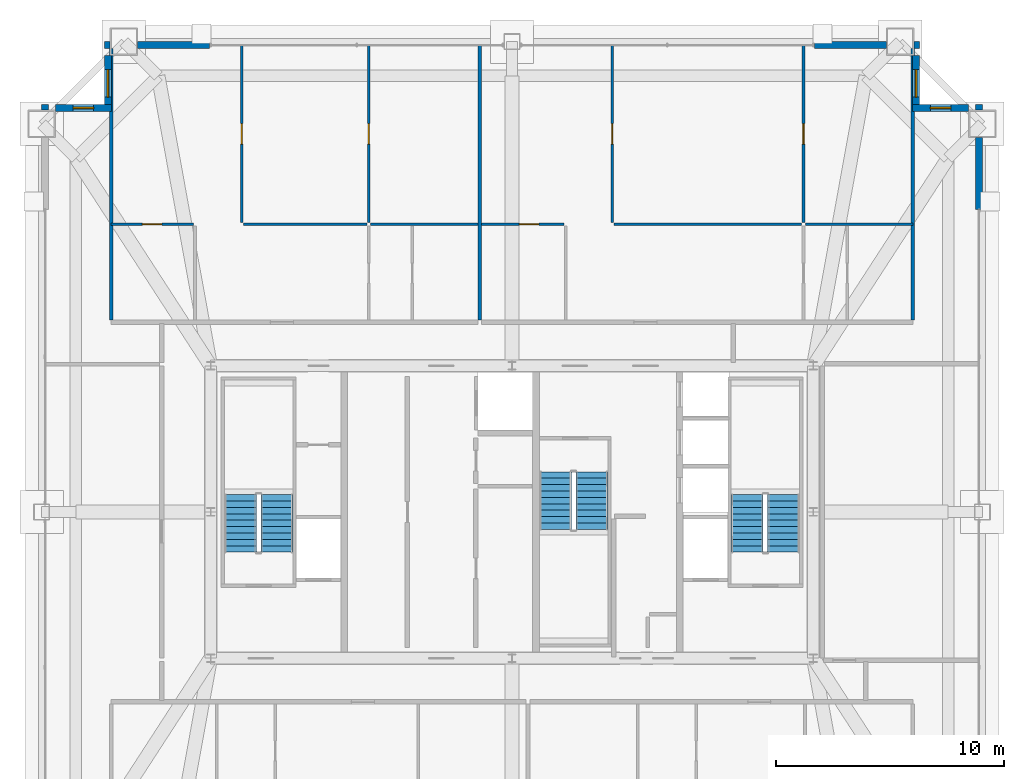
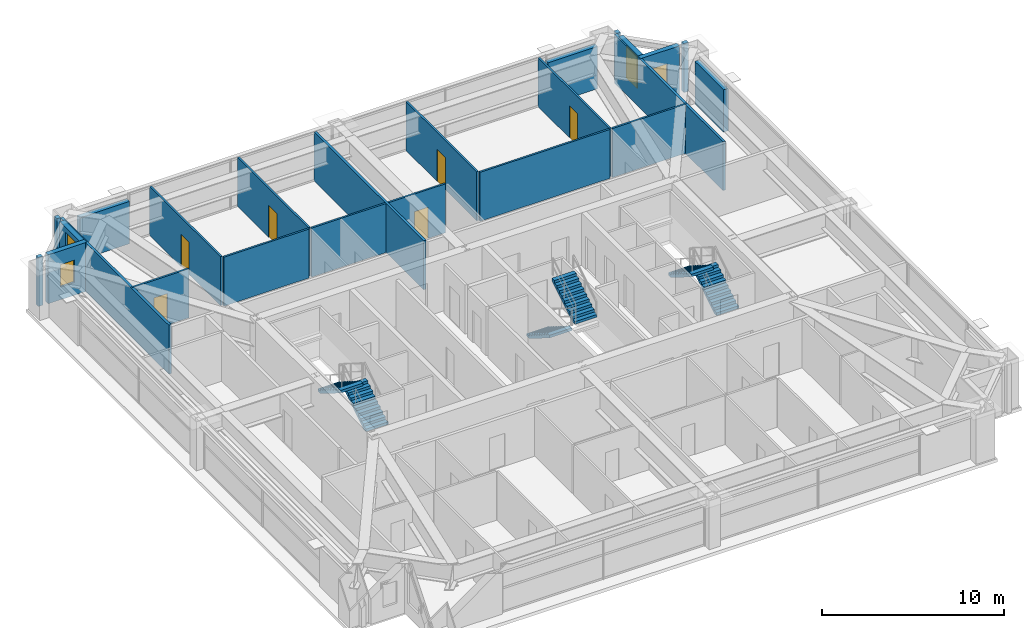
# One storey, part 32 of 33: 24 walls, 6 doors, 6 stair flights, 4 windows, 10 openings, 3 elements without a shape of their own.
"""IFC4 building model written with IfcOpenShell, lengths in metres."""

from ifc_helpers import new_model, si_unit, direction, frame, frame_2d, origin, place, context, subcontext, project, spatial, polyline, rectangle, outline, extrude, source, transform, mapped, material, layer, layer_set, type_object, element, fill, aggregate, save


model = new_model("IFC4")

# Units and contexts
model_context = context("Model", 3, precision=1e-05, world=origin(), true_north=direction((0.0, 1.0)))
body_context = subcontext(model_context, "Body", "Model", "MODEL_VIEW")
ifc_project = project(units=[si_unit("LENGTHUNIT", "METRE"), si_unit("AREAUNIT", "SQUARE_METRE"), si_unit("VOLUMEUNIT", "CUBIC_METRE"), si_unit("PLANEANGLEUNIT", "RADIAN"), si_unit("MASSUNIT", "GRAM", prefix="KILO"), si_unit("THERMODYNAMICTEMPERATUREUNIT", "KELVIN"), si_unit("POWERUNIT", "WATT")], contexts=[model_context])

# Site, building, storey
site_placement = place(None, origin())
site = spatial("IfcSite", under=ifc_project, at=site_placement, CompositionType="ELEMENT")
building_placement = place(site_placement, origin())
building = spatial("IfcBuilding", under=site, at=building_placement, Name="Yuzanri Waterfront Tower", CompositionType="ELEMENT")
storey_placement = place(building_placement, frame((0.0, 0.0, 282.10009765625)))
storey = spatial("IfcBuildingStorey", under=building, at=storey_placement, Name="L75", CompositionType="ELEMENT", Elevation=282.10009765625)

# Wall, opening, door
ifc_material_1 = material(Name="Moisture-Resistant Gypsum Stud Wall", Category="gypsum")
ifc_layer_1 = layer(ifc_material_1, 0.1201171875)
ifc_layer_set_1 = layer_set([ifc_layer_1], Name="Moisture-Resistant Gypsum Stud Wall")
wall_type_1 = type_object("IfcWallType", Name="Bathroom and Kitchen Wet Partition 120", PredefinedType="PARTITIONING", material=ifc_layer_set_1)
wall_1_placement = place(storey_placement, frame((19.43994140625, 38.39990234375, 0.0), z_axis=(0.0, 0.0, 1.0), x_axis=(1.0, 0.0, 0.0)))
wall_1 = element("IfcWall", 1, at=wall_1_placement, inside=storey, type_object=wall_type_1, Name="L75 Partition UW-L75-HN1-SUB-1-N", PredefinedType="PARTITIONING", context=body_context, shape_type="SweptSolid", body=[
    extrude(rectangle(XDim=3.60009765625, YDim=0.1201171875, at=frame_2d((1.800048828125, 0.0))), origin(), (0.0, 0.0, 1.0), 3.27978515625),
])
opening_1_placement = place(wall_1_placement, frame((1.375, 0.0, 0.0)))
opening_1 = element("IfcOpeningElement", 2, at=opening_1_placement, cuts=wall_1, Name="Opening ID-0850", PredefinedType="OPENING", context=body_context, shape_type="SweptSolid", body=[
    extrude(rectangle(XDim=0.85009765625, YDim=2.10009765625, at=frame_2d((0.425048828125, 1.050048828125))), frame((0.0, 0.074951171875, 0.0), z_axis=(0.0, -1.0, 0.0), x_axis=(1.0, 0.0, 0.0)), (0.0, 0.0, 1.0), 0.14990234375),
])
ifc_material_2 = material(Name="Moisture-Resistant Lacquered Timber", Category="wood")
door_type_1 = type_object("IfcDoorType", Name="En-Suite Bathroom and Kitchen Swing Door 850x2100", OperationType="NOTDEFINED", PredefinedType="DOOR", material=ifc_material_2)
shared_shape_1 = source(origin(), body_context, "Body", "SweptSolid", [
    extrude(rectangle(XDim=0.85009765625, YDim=2.10009765625, at=frame_2d((0.425048828125, 1.050048828125))), frame((0.0, 0.02490234375, 0.0), z_axis=(0.0, -1.0, 0.0), x_axis=(1.0, 0.0, 0.0)), (0.0, 0.0, 1.0), 0.050048828125),
])
door_1_placement = place(opening_1_placement, origin())
door_1 = element("IfcDoor", 3, at=door_1_placement, inside=storey, type_object=door_type_1, Name="L75 Suite Interior Room Door", OperationType="SINGLE_SWING_RIGHT", OverallHeight=2.10009765625, OverallWidth=0.85009765625, PredefinedType="DOOR", context=body_context, shape_type="MappedRepresentation", body=[
    mapped(shared_shape_1, transform((0.0, 0.0, 0.0), scale=1.0)),
])
fill(opening_1, door_1)

wall_2_placement = place(storey_placement, frame((30.722900390625, 38.47998046875, 0.0), z_axis=(0.0, 0.0, 1.0), x_axis=(0.0, 1.0, 0.0)))
wall_2 = element("IfcWall", 4, at=wall_2_placement, inside=storey, type_object=wall_type_1, Name="L75 Partition UW-L75-HN1-SUB-3-W", PredefinedType="PARTITIONING", context=body_context, shape_type="SweptSolid", body=[
    extrude(rectangle(XDim=7.77001953125, YDim=0.1201171875, at=frame_2d((3.885009765625, 0.0))), origin(), (0.0, 0.0, 1.0), 3.27978515625),
])
opening_2_placement = place(wall_2_placement, frame((3.43505859375, 0.0, 0.0)))
opening_2 = element("IfcOpeningElement", 5, at=opening_2_placement, cuts=wall_2, Name="Opening ID-0900", PredefinedType="OPENING", context=body_context, shape_type="SweptSolid", body=[
    extrude(rectangle(XDim=0.89990234375, YDim=2.14990234375, at=frame_2d((0.449951171875, 1.074951171875))), frame((0.0, 0.074951171875, 0.0), z_axis=(0.0, -1.0, 0.0), x_axis=(1.0, 0.0, 0.0)), (0.0, 0.0, 1.0), 0.14990234375),
])
ifc_material_3 = material(Name="Stained Walnut Veneer Timber", Category="wood")
door_type_2 = type_object("IfcDoorType", Name="Bedroom and Study Interior Swing Door 900x2150", OperationType="NOTDEFINED", PredefinedType="DOOR", material=ifc_material_3)
shared_shape_2 = source(origin(), body_context, "Body", "SweptSolid", [
    extrude(rectangle(XDim=0.89990234375, YDim=2.14990234375, at=frame_2d((0.449951171875, 1.074951171875))), frame((0.0, 0.02490234375, 0.0), z_axis=(0.0, -1.0, 0.0), x_axis=(1.0, 0.0, 0.0)), (0.0, 0.0, 1.0), 0.050048828125),
])
door_2_placement = place(opening_2_placement, origin())
door_2 = element("IfcDoor", 6, at=door_2_placement, inside=storey, type_object=door_type_2, Name="L75 Suite Interior Room Door", OperationType="SINGLE_SWING_RIGHT", OverallHeight=2.14990234375, OverallWidth=0.89990234375, PredefinedType="DOOR", context=body_context, shape_type="MappedRepresentation", body=[
    mapped(shared_shape_2, transform((0.0, 0.0, 0.0), scale=1.0)),
])
fill(opening_2, door_2)

wall_3_placement = place(storey_placement, frame((25.159912109375, 38.47998046875, 0.0), z_axis=(0.0, 0.0, 1.0), x_axis=(0.0, 1.0, 0.0)))
wall_3 = element("IfcWall", 7, at=wall_3_placement, inside=storey, type_object=wall_type_1, Name="L75 Partition UW-L75-HN1-SUB-5-W", PredefinedType="PARTITIONING", context=body_context, shape_type="SweptSolid", body=[
    extrude(rectangle(XDim=7.77001953125, YDim=0.1201171875, at=frame_2d((3.885009765625, 0.0))), origin(), (0.0, 0.0, 1.0), 3.27978515625),
])
opening_3_placement = place(wall_3_placement, frame((3.43505859375, 0.0, 0.0)))
opening_3 = element("IfcOpeningElement", 8, at=opening_3_placement, cuts=wall_3, Name="Opening ID-0900", PredefinedType="OPENING", context=body_context, shape_type="SweptSolid", body=[
    extrude(rectangle(XDim=0.89990234375, YDim=2.14990234375, at=frame_2d((0.449951171875, 1.074951171875))), frame((0.0, 0.074951171875, 0.0), z_axis=(0.0, -1.0, 0.0), x_axis=(1.0, 0.0, 0.0)), (0.0, 0.0, 1.0), 0.14990234375),
])
door_3_placement = place(opening_3_placement, origin())
door_3 = element("IfcDoor", 9, at=door_3_placement, inside=storey, type_object=door_type_2, Name="L75 Suite Interior Room Door", OperationType="SINGLE_SWING_RIGHT", OverallHeight=2.14990234375, OverallWidth=0.89990234375, PredefinedType="DOOR", context=body_context, shape_type="MappedRepresentation", body=[
    mapped(shared_shape_2, transform((0.0, 0.0, 0.0), scale=1.0)),
])
fill(opening_3, door_3)

wall_4_placement = place(storey_placement, frame((35.675048828125, 38.39990234375, 0.0), z_axis=(0.0, 0.0, 1.0), x_axis=(1.0, 0.0, 0.0)))
wall_4 = element("IfcWall", 10, at=wall_4_placement, inside=storey, type_object=wall_type_1, Name="L75 Partition UW-L75-HN2-SUB-1-N", PredefinedType="PARTITIONING", context=body_context, shape_type="SweptSolid", body=[
    extrude(rectangle(XDim=3.599853515625, YDim=0.1201171875, at=frame_2d((1.7998046875, 0.0))), origin(), (0.0, 0.0, 1.0), 3.27978515625),
])
opening_4_placement = place(wall_4_placement, frame((1.64990234375, 0.0, 0.0)))
opening_4 = element("IfcOpeningElement", 11, at=opening_4_placement, cuts=wall_4, Name="Opening ID-0850", PredefinedType="OPENING", context=body_context, shape_type="SweptSolid", body=[
    extrude(rectangle(XDim=0.85009765625, YDim=2.10009765625, at=frame_2d((0.425048828125, 1.050048828125))), frame((0.0, 0.074951171875, 0.0), z_axis=(0.0, -1.0, 0.0), x_axis=(1.0, 0.0, 0.0)), (0.0, 0.0, 1.0), 0.14990234375),
])
door_4_placement = place(opening_4_placement, origin())
door_4 = element("IfcDoor", 12, at=door_4_placement, inside=storey, type_object=door_type_1, Name="L75 Suite Interior Room Door", OperationType="SINGLE_SWING_RIGHT", OverallHeight=2.10009765625, OverallWidth=0.85009765625, PredefinedType="DOOR", context=body_context, shape_type="MappedRepresentation", body=[
    mapped(shared_shape_1, transform((0.0, 0.0, 0.0), scale=1.0)),
])
fill(opening_4, door_4)

wall_5_placement = place(storey_placement, frame((49.76806640625, 38.47998046875, 0.0), z_axis=(0.0, 0.0, 1.0), x_axis=(0.0, 1.0, 0.0)))
wall_5 = element("IfcWall", 13, at=wall_5_placement, inside=storey, type_object=wall_type_1, Name="L75 Partition UW-L75-HN2-SUB-3-W", PredefinedType="PARTITIONING", context=body_context, shape_type="SweptSolid", body=[
    extrude(rectangle(XDim=7.77001953125, YDim=0.1201171875, at=frame_2d((3.885009765625, 0.0))), origin(), (0.0, 0.0, 1.0), 3.27978515625),
])
opening_5_placement = place(wall_5_placement, frame((3.43505859375, 0.0, 0.0)))
opening_5 = element("IfcOpeningElement", 14, at=opening_5_placement, cuts=wall_5, Name="Opening ID-0900", PredefinedType="OPENING", context=body_context, shape_type="SweptSolid", body=[
    extrude(rectangle(XDim=0.89990234375, YDim=2.14990234375, at=frame_2d((0.449951171875, 1.074951171875))), frame((0.0, 0.074951171875, 0.0), z_axis=(0.0, -1.0, 0.0), x_axis=(1.0, 0.0, 0.0)), (0.0, 0.0, 1.0), 0.14990234375),
])
door_5_placement = place(opening_5_placement, origin())
door_5 = element("IfcDoor", 15, at=door_5_placement, inside=storey, type_object=door_type_2, Name="L75 Suite Interior Room Door", OperationType="SINGLE_SWING_RIGHT", OverallHeight=2.14990234375, OverallWidth=0.89990234375, PredefinedType="DOOR", context=body_context, shape_type="MappedRepresentation", body=[
    mapped(shared_shape_2, transform((0.0, 0.0, 0.0), scale=1.0)),
])
fill(opening_5, door_5)

wall_6_placement = place(storey_placement, frame((41.39501953125, 38.47998046875, 0.0), z_axis=(0.0, 0.0, 1.0), x_axis=(0.0, 1.0, 0.0)))
wall_6 = element("IfcWall", 16, at=wall_6_placement, inside=storey, type_object=wall_type_1, Name="L75 Partition UW-L75-HN2-SUB-5-W", PredefinedType="PARTITIONING", context=body_context, shape_type="SweptSolid", body=[
    extrude(rectangle(XDim=7.77001953125, YDim=0.1201171875, at=frame_2d((3.885009765625, 0.0))), origin(), (0.0, 0.0, 1.0), 3.27978515625),
])
opening_6_placement = place(wall_6_placement, frame((3.43505859375, 0.0, 0.0)))
opening_6 = element("IfcOpeningElement", 17, at=opening_6_placement, cuts=wall_6, Name="Opening ID-0900", PredefinedType="OPENING", context=body_context, shape_type="SweptSolid", body=[
    extrude(rectangle(XDim=0.89990234375, YDim=2.14990234375, at=frame_2d((0.449951171875, 1.074951171875))), frame((0.0, 0.074951171875, 0.0), z_axis=(0.0, -1.0, 0.0), x_axis=(1.0, 0.0, 0.0)), (0.0, 0.0, 1.0), 0.14990234375),
])
door_6_placement = place(opening_6_placement, origin())
door_6 = element("IfcDoor", 18, at=door_6_placement, inside=storey, type_object=door_type_2, Name="L75 Suite Interior Room Door", OperationType="SINGLE_SWING_RIGHT", OverallHeight=2.14990234375, OverallWidth=0.89990234375, PredefinedType="DOOR", context=body_context, shape_type="MappedRepresentation", body=[
    mapped(shared_shape_2, transform((0.0, 0.0, 0.0), scale=1.0)),
])
fill(opening_6, door_6)

# Wall, opening, window
ifc_material_4 = material(Name="Honed Chongqing Dark Basalt Stone", Category="masonry")
ifc_layer_2 = layer(ifc_material_4, 0.300048828125)
ifc_layer_set_2 = layer_set([ifc_layer_2], Name="Honed Chongqing Dark Basalt Stone")
wall_type_2 = type_object("IfcWallType", Name="Bronze Rainscreen Insulated Spandrel Portal Wall 300", PredefinedType="SOLIDWALL", material=ifc_layer_set_2)
wall_7_placement = place(storey_placement, frame((19.449951171875, 43.5, 0.0), z_axis=(0.0, 0.0, 1.0), x_axis=(-1.0, 0.0, 0.0)))
wall_7 = element("IfcWall", 19, at=wall_7_placement, inside=storey, type_object=wall_type_2, Name="L75 Notched Corner Masonry Wall NW-X", PredefinedType="SOLIDWALL", context=body_context, shape_type="SweptSolid", body=[
    extrude(rectangle(XDim=2.449951171875, YDim=0.300048828125, at=frame_2d((1.22509765625, 0.0))), origin(), (0.0, 0.0, 1.0), 3.27978515625),
])
opening_7_placement = place(wall_7_placement, frame((0.77490234375, 0.0, 0.85009765625)))
opening_7 = element("IfcOpeningElement", 20, at=opening_7_placement, cuts=wall_7, Name="Opening WN-05", PredefinedType="OPENING", context=body_context, shape_type="SweptSolid", body=[
    extrude(rectangle(XDim=0.89990234375, YDim=1.5, at=frame_2d((0.449951171875, 0.75))), frame((0.0, 0.1650390625, 0.0), z_axis=(0.0, -1.0, 0.0), x_axis=(1.0, 0.0, 0.0)), (0.0, 0.0, 1.0), 0.329833984375),
])
ifc_material_5 = material(Name="Double-Silver Low-E Insulated Glass", Category="glass")
window_type_1 = type_object("IfcWindowType", Name="Anodized Bronze Service and Stairwell Smoke-Vent Window 900x1500", PartitioningType="SINGLE_PANEL", PredefinedType="WINDOW", material=ifc_material_5)
shared_shape_3 = source(origin(), body_context, "Body", "SweptSolid", [
    extrude(rectangle(XDim=0.89990234375, YDim=1.5, at=frame_2d((0.449951171875, 0.75))), frame((0.0, 0.030029296875, 0.0), z_axis=(0.0, -1.0, 0.0), x_axis=(1.0, 0.0, 0.0)), (0.0, 0.0, 1.0), 0.06005859375),
])
window_1_placement = place(opening_7_placement, origin())
window_1 = element("IfcWindow", 21, at=window_1_placement, inside=storey, type_object=window_type_1, Name="L75 Notched Corner Window NW-X", OverallHeight=1.5, OverallWidth=0.89990234375, PartitioningType="SINGLE_PANEL", PredefinedType="WINDOW", context=body_context, shape_type="MappedRepresentation", body=[
    mapped(shared_shape_3, transform((0.0, 0.0, 0.0), scale=1.0)),
])
fill(opening_7, window_1)

wall_8_placement = place(storey_placement, frame((19.300048828125, 45.800048828125, 0.0), z_axis=(0.0, 0.0, 1.0), x_axis=(0.0, -1.0, 0.0)))
wall_8 = element("IfcWall", 22, at=wall_8_placement, inside=storey, type_object=wall_type_2, Name="L75 Notched Corner Masonry Wall NW-Y", PredefinedType="SOLIDWALL", context=body_context, shape_type="SweptSolid", body=[
    extrude(rectangle(XDim=2.449951171875, YDim=0.300048828125, at=frame_2d((1.22509765625, 0.0))), origin(), (0.0, 0.0, 1.0), 3.27978515625),
])
opening_8_placement = place(wall_8_placement, frame((0.625, 0.0, 0.85009765625)))
opening_8 = element("IfcOpeningElement", 23, at=opening_8_placement, cuts=wall_8, Name="Opening WN-02", PredefinedType="OPENING", context=body_context, shape_type="SweptSolid", body=[
    extrude(rectangle(XDim=1.199951171875, YDim=2.10009765625, at=frame_2d((0.60009765625, 1.050048828125))), frame((0.0, 0.1650390625, 0.0), z_axis=(0.0, -1.0, 0.0), x_axis=(1.0, 0.0, 0.0)), (0.0, 0.0, 1.0), 0.329833984375),
])
ifc_material_6 = material(Name="Double-Silver Low-E Insulated Glass", Category="glass")
window_type_2 = type_object("IfcWindowType", Name="Anodized Bronze Notched Corner Deep-Set Slot Window 1200x2100", PartitioningType="SINGLE_PANEL", PredefinedType="WINDOW", material=ifc_material_6)
shared_shape_4 = source(origin(), body_context, "Body", "SweptSolid", [
    extrude(rectangle(XDim=1.199951171875, YDim=2.10009765625, at=frame_2d((0.60009765625, 1.050048828125))), frame((0.0, 0.030029296875, 0.0), z_axis=(0.0, -1.0, 0.0), x_axis=(1.0, 0.0, 0.0)), (0.0, 0.0, 1.0), 0.06005859375),
])
window_2_placement = place(opening_8_placement, origin())
window_2 = element("IfcWindow", 24, at=window_2_placement, inside=storey, type_object=window_type_2, Name="L75 Notched Corner Window NW-Y", OverallHeight=2.10009765625, OverallWidth=1.199951171875, PartitioningType="SINGLE_PANEL", PredefinedType="WINDOW", context=body_context, shape_type="MappedRepresentation", body=[
    mapped(shared_shape_4, transform((0.0, 0.0, 0.0), scale=1.0)),
])
fill(opening_8, window_2)

wall_9_placement = place(storey_placement, frame((57.0, 43.5, 0.0), z_axis=(0.0, 0.0, 1.0), x_axis=(-1.0, 0.0, 0.0)))
wall_9 = element("IfcWall", 25, at=wall_9_placement, inside=storey, type_object=wall_type_2, Name="L75 Notched Corner Masonry Wall NE-X", PredefinedType="SOLIDWALL", context=body_context, shape_type="SweptSolid", body=[
    extrude(rectangle(XDim=2.449951171875, YDim=0.300048828125, at=frame_2d((1.22509765625, 0.0))), origin(), (0.0, 0.0, 1.0), 3.27978515625),
])
opening_9_placement = place(wall_9_placement, frame((0.77490234375, 0.0, 0.85009765625)))
opening_9 = element("IfcOpeningElement", 26, at=opening_9_placement, cuts=wall_9, Name="Opening WN-05", PredefinedType="OPENING", context=body_context, shape_type="SweptSolid", body=[
    extrude(rectangle(XDim=0.89990234375, YDim=1.5, at=frame_2d((0.449951171875, 0.75))), frame((0.0, 0.1650390625, 0.0), z_axis=(0.0, -1.0, 0.0), x_axis=(1.0, 0.0, 0.0)), (0.0, 0.0, 1.0), 0.329833984375),
])
window_3_placement = place(opening_9_placement, origin())
window_3 = element("IfcWindow", 27, at=window_3_placement, inside=storey, type_object=window_type_1, Name="L75 Notched Corner Window NE-X", OverallHeight=1.5, OverallWidth=0.89990234375, PartitioningType="SINGLE_PANEL", PredefinedType="WINDOW", context=body_context, shape_type="MappedRepresentation", body=[
    mapped(shared_shape_3, transform((0.0, 0.0, 0.0), scale=1.0)),
])
fill(opening_9, window_3)

wall_10_placement = place(storey_placement, frame((54.699951171875, 43.35009765625, 0.0), z_axis=(0.0, 0.0, 1.0), x_axis=(0.0, 1.0, 0.0)))
wall_10 = element("IfcWall", 28, at=wall_10_placement, inside=storey, type_object=wall_type_2, Name="L75 Notched Corner Masonry Wall NE-Y", PredefinedType="SOLIDWALL", context=body_context, shape_type="SweptSolid", body=[
    extrude(rectangle(XDim=2.449951171875, YDim=0.300048828125, at=frame_2d((1.22509765625, 0.0))), origin(), (0.0, 0.0, 1.0), 3.27978515625),
])
opening_10_placement = place(wall_10_placement, frame((0.625, 0.0, 0.85009765625)))
opening_10 = element("IfcOpeningElement", 29, at=opening_10_placement, cuts=wall_10, Name="Opening WN-02", PredefinedType="OPENING", context=body_context, shape_type="SweptSolid", body=[
    extrude(rectangle(XDim=1.199951171875, YDim=2.10009765625, at=frame_2d((0.60009765625, 1.050048828125))), frame((0.0, 0.1650390625, 0.0), z_axis=(0.0, -1.0, 0.0), x_axis=(1.0, 0.0, 0.0)), (0.0, 0.0, 1.0), 0.329833984375),
])
window_4_placement = place(opening_10_placement, origin())
window_4 = element("IfcWindow", 30, at=window_4_placement, inside=storey, type_object=window_type_2, Name="L75 Notched Corner Window NE-Y", OverallHeight=2.10009765625, OverallWidth=1.199951171875, PartitioningType="SINGLE_PANEL", PredefinedType="WINDOW", context=body_context, shape_type="MappedRepresentation", body=[
    mapped(shared_shape_4, transform((0.0, 0.0, 0.0), scale=1.0)),
])
fill(opening_10, window_4)

# Walls
shared_shape_5 = source(origin(), body_context, "Body", "SweptSolid", [
    extrude(rectangle(XDim=0.25, YDim=0.300048828125, at=frame_2d((0.125, 0.0))), origin(), (0.0, 0.0, 1.0), 3.27978515625),
])
for number, where, z_axis, x_axis, name in (
    (31, (19.14990234375, 46.25, 0.0), (0.0, 0.0, 1.0), (1.0, 0.0, 0.0), "L75 Corner Column Shoulder Return CNW"),
    (32, (54.60009765625, 46.25, 0.0), (0.0, 0.0, 1.0), (1.0, 0.0, 0.0), "L75 Corner Column Shoulder Return CNE"),
    (33, (16.550048828125, 43.39990234375, 0.0), (0.0, 0.0, 1.0), (0.0, 1.0, 0.0), "L75 Corner Column Shoulder Return CWN"),
    (34, (57.449951171875, 43.39990234375, 0.0), (0.0, 0.0, 1.0), (0.0, 1.0, 0.0), "L75 Corner Column Shoulder Return CEN"),
):
    element("IfcWall", number, at=place(storey_placement, frame(where, z_axis=z_axis, x_axis=x_axis)), inside=storey, type_object=wall_type_2, Name=name, PredefinedType="SOLIDWALL", context=body_context, shape_type="MappedRepresentation", body=[
        mapped(shared_shape_5, transform((0.0, 0.0, 0.0), scale=1.0)),
    ])
shared_shape_6 = source(origin(), body_context, "Body", "SweptSolid", [
    extrude(rectangle(XDim=3.14990234375, YDim=0.300048828125, at=frame_2d((1.574951171875, 0.0))), origin(), (0.0, 0.0, 1.0), 2.8349609375),
])
for number, where, z_axis, x_axis, name in (
    (35, (20.60009765625, 46.25, 0.0), (0.0, 0.0, 1.0), (1.0, 0.0, 0.0), "L75 N Left Braced Masonry Shoulder"),
    (36, (50.25, 46.25, 0.0), (0.0, 0.0, 1.0), (1.0, 0.0, 0.0), "L75 N Right Braced Masonry Shoulder"),
    (37, (57.449951171875, 39.050048828125, 0.0), (0.0, 0.0, 1.0), (0.0, 1.0, 0.0), "L75 E Right Braced Masonry Shoulder"),
):
    element("IfcWall", number, at=place(storey_placement, frame(where, z_axis=z_axis, x_axis=x_axis)), inside=storey, type_object=wall_type_2, Name=name, PredefinedType="SOLIDWALL", context=body_context, shape_type="MappedRepresentation", body=[
        mapped(shared_shape_6, transform((0.0, 0.0, 0.0), scale=1.0)),
    ])
ifc_material_7 = material(Name="Gypsum Fireboard Acoustic Stud Wall", Category="gypsum")
ifc_layer_3 = layer(ifc_material_7, 0.159912109375)
ifc_layer_set_3 = layer_set([ifc_layer_3], Name="Gypsum Fireboard Acoustic Stud Wall")
wall_type_3 = type_object("IfcWallType", Name="Acoustic Suite Demising Partition 160", PredefinedType="PARTITIONING", material=ifc_layer_set_3)
shared_shape_7 = source(origin(), body_context, "Body", "SweptSolid", [
    extrude(rectangle(XDim=11.89013671875, YDim=0.159912109375, at=frame_2d((5.945068359375, 0.0))), origin(), (0.0, 0.0, 1.0), 3.27978515625),
])
for number, where, z_axis, x_axis, name in (
    (38, (19.449951171875, 34.2099609375, 0.0), (0.0, 0.0, 1.0), (0.0, 1.0, 0.0), "L75 North Band West End Wall"),
    (39, (54.550048828125, 34.2099609375, 0.0), (0.0, 0.0, 1.0), (0.0, 1.0, 0.0), "L75 North Band East End Wall"),
):
    element("IfcWall", number, at=place(storey_placement, frame(where, z_axis=z_axis, x_axis=x_axis)), inside=storey, type_object=wall_type_3, Name=name, PredefinedType="PARTITIONING", context=body_context, shape_type="MappedRepresentation", body=[
        mapped(shared_shape_7, transform((0.0, 0.0, 0.0), scale=1.0)),
    ])
shared_shape_8 = source(origin(), body_context, "Body", "SweptSolid", [
    extrude(rectangle(XDim=12.0400390625, YDim=0.159912109375, at=frame_2d((6.02001953125, 0.0))), origin(), (0.0, 0.0, 1.0), 3.27978515625),
])
wall_11_placement = place(storey_placement, frame((35.594970703125, 34.2099609375, 0.0), z_axis=(0.0, 0.0, 1.0), x_axis=(0.0, 1.0, 0.0)))
element("IfcWall", 40, at=wall_11_placement, inside=storey, type_object=wall_type_3, Name="L75-HN1 Party Wall", PredefinedType="PARTITIONING", context=body_context, shape_type="MappedRepresentation", body=[
    mapped(shared_shape_8, transform((0.0, 0.0, 0.0), scale=1.0)),
])
shared_shape_9 = source(origin(), body_context, "Body", "SweptSolid", [
    extrude(rectangle(XDim=4.7119140625, YDim=0.1201171875, at=frame_2d((2.35595703125, 0.0))), origin(), (0.0, 0.0, 1.0), 3.27978515625),
])
wall_12_placement = place(storey_placement, frame((30.802978515625, 38.39990234375, 0.0), z_axis=(0.0, 0.0, 1.0), x_axis=(1.0, 0.0, 0.0)))
element("IfcWall", 41, at=wall_12_placement, inside=storey, type_object=wall_type_1, Name="L75 Partition UW-L75-HN1-SUB-3-S", PredefinedType="PARTITIONING", context=body_context, shape_type="MappedRepresentation", body=[
    mapped(shared_shape_9, transform((0.0, 0.0, 0.0), scale=1.0)),
])
shared_shape_10 = source(origin(), body_context, "Body", "SweptSolid", [
    extrude(rectangle(XDim=5.403076171875, YDim=0.1201171875, at=frame_2d((2.70166015625, 0.0))), origin(), (0.0, 0.0, 1.0), 3.27978515625),
])
wall_13_placement = place(storey_placement, frame((25.239990234375, 38.39990234375, 0.0), z_axis=(0.0, 0.0, 1.0), x_axis=(1.0, 0.0, 0.0)))
element("IfcWall", 42, at=wall_13_placement, inside=storey, type_object=wall_type_1, Name="L75 Partition UW-L75-HN1-SUB-5-S", PredefinedType="PARTITIONING", context=body_context, shape_type="MappedRepresentation", body=[
    mapped(shared_shape_10, transform((0.0, 0.0, 0.0), scale=1.0)),
])
shared_shape_11 = source(origin(), body_context, "Body", "SweptSolid", [
    extrude(rectangle(XDim=4.712158203125, YDim=0.1201171875, at=frame_2d((2.35595703125, 0.0))), origin(), (0.0, 0.0, 1.0), 3.27978515625),
])
wall_14_placement = place(storey_placement, frame((49.847900390625, 38.39990234375, 0.0), z_axis=(0.0, 0.0, 1.0), x_axis=(1.0, 0.0, 0.0)))
element("IfcWall", 43, at=wall_14_placement, inside=storey, type_object=wall_type_1, Name="L75 Partition UW-L75-HN2-SUB-3-S", PredefinedType="PARTITIONING", context=body_context, shape_type="MappedRepresentation", body=[
    mapped(shared_shape_11, transform((0.0, 0.0, 0.0), scale=1.0)),
])
shared_shape_12 = source(origin(), body_context, "Body", "SweptSolid", [
    extrude(rectangle(XDim=8.212890625, YDim=0.1201171875, at=frame_2d((4.1064453125, 0.0))), origin(), (0.0, 0.0, 1.0), 3.27978515625),
])
wall_15_placement = place(storey_placement, frame((41.47509765625, 38.39990234375, 0.0), z_axis=(0.0, 0.0, 1.0), x_axis=(1.0, 0.0, 0.0)))
element("IfcWall", 44, at=wall_15_placement, inside=storey, type_object=wall_type_1, Name="L75 Partition UW-L75-HN2-SUB-5-S", PredefinedType="PARTITIONING", context=body_context, shape_type="MappedRepresentation", body=[
    mapped(shared_shape_12, transform((0.0, 0.0, 0.0), scale=1.0)),
])

# Stair, stair flights
ifc_material_8 = material(Name="Concrete C40", Category="concrete")
stair_type = type_object("IfcStairType", Name="Concrete C40 Core Dogleg Exit Stair", PredefinedType="HALF_TURN_STAIR", material=ifc_material_8)
stair_1_placement = place(storey_placement, origin())
stair_1 = element("IfcStair", 45, at=stair_1_placement, inside=storey, type_object=stair_type, Name="L75 Smoke-Proof Core Stair ST-01", PredefinedType="HALF_TURN_STAIR")
ifc_material_9 = material(Name="Concrete C40", Category="concrete")
stair_flight_type = type_object("IfcStairFlightType", Name="Concrete C40 Precast Stair Flight 1380", PredefinedType="STRAIGHT", material=ifc_material_9)
shared_shape_13 = source(origin(), body_context, "Body", "SweptSolid", [
    extrude(outline(polyline([(0.0, 0.0), (0.0, 0.175048828125), (0.280029296875, 0.175048828125), (0.280029296875, 0.35009765625), (0.56005859375, 0.35009765625), (0.56005859375, 0.52490234375), (0.840087890625, 0.52490234375), (0.840087890625, 0.699951171875), (1.1201171875, 0.699951171875), (1.1201171875, 0.875), (1.39990234375, 0.875), (1.39990234375, 1.050048828125), (1.679931640625, 1.050048828125), (1.679931640625, 1.22509765625), (1.9599609375, 1.22509765625), (1.9599609375, 1.39990234375), (2.239990234375, 1.39990234375), (2.239990234375, 1.574951171875), (2.52001953125, 1.574951171875), (2.52001953125, 1.75), (2.52001953125, 1.398193359375), (0.28271484375, 0.0), (0.0, 0.0)])), frame((0.0, 0.699951171875, 0.0), z_axis=(0.0, -1.0, 0.0), x_axis=(1.0, 0.0, 0.0)), (0.0, 0.0, 1.0), 1.39990234375),
])
stair_flight_1_placement = place(storey_placement, frame((26.699951171875, 24.0400390625, 0.0), z_axis=(0.0, 0.0, 1.0), x_axis=(0.0, 1.0, 0.0)))
stair_flight_1 = element("IfcStairFlight", 46, at=stair_flight_1_placement, type_object=stair_flight_type, Name="ST-01 flight 1", NumberOfRisers=10, NumberOfTreads=9, PredefinedType="STRAIGHT", RiserHeight=0.175, TreadLength=0.28, context=body_context, shape_type="MappedRepresentation", body=[
    mapped(shared_shape_13, transform((0.0, 0.0, 0.0), scale=1.0)),
])
stair_flight_2_placement = place(storey_placement, frame((25.10009765625, 26.56005859375, 1.75), z_axis=(0.0, 0.0, 1.0), x_axis=(0.0, -1.0, 0.0)))
stair_flight_2 = element("IfcStairFlight", 47, at=stair_flight_2_placement, type_object=stair_flight_type, Name="ST-01 flight 2", NumberOfRisers=10, NumberOfTreads=9, PredefinedType="STRAIGHT", RiserHeight=0.175, TreadLength=0.28, context=body_context, shape_type="MappedRepresentation", body=[
    mapped(shared_shape_13, transform((0.0, 0.0, 0.0), scale=1.0)),
])
aggregate(stair_1, [stair_flight_1, stair_flight_2])

stair_2_placement = place(storey_placement, origin())
stair_2 = element("IfcStair", 48, at=stair_2_placement, inside=storey, type_object=stair_type, Name="L75 Smoke-Proof Core Stair ST-02", PredefinedType="HALF_TURN_STAIR")
stair_flight_3_placement = place(storey_placement, frame((48.89990234375, 24.0400390625, 0.0), z_axis=(0.0, 0.0, 1.0), x_axis=(0.0, 1.0, 0.0)))
stair_flight_3 = element("IfcStairFlight", 49, at=stair_flight_3_placement, type_object=stair_flight_type, Name="ST-02 flight 1", NumberOfRisers=10, NumberOfTreads=9, PredefinedType="STRAIGHT", RiserHeight=0.175, TreadLength=0.28, context=body_context, shape_type="MappedRepresentation", body=[
    mapped(shared_shape_13, transform((0.0, 0.0, 0.0), scale=1.0)),
])
stair_flight_4_placement = place(storey_placement, frame((47.300048828125, 26.56005859375, 1.75), z_axis=(0.0, 0.0, 1.0), x_axis=(0.0, -1.0, 0.0)))
stair_flight_4 = element("IfcStairFlight", 50, at=stair_flight_4_placement, type_object=stair_flight_type, Name="ST-02 flight 2", NumberOfRisers=10, NumberOfTreads=9, PredefinedType="STRAIGHT", RiserHeight=0.175, TreadLength=0.28, context=body_context, shape_type="MappedRepresentation", body=[
    mapped(shared_shape_13, transform((0.0, 0.0, 0.0), scale=1.0)),
])
aggregate(stair_2, [stair_flight_3, stair_flight_4])

stair_3_placement = place(storey_placement, origin())
stair_3 = element("IfcStair", 51, at=stair_3_placement, inside=storey, type_object=stair_type, Name="L75 Smoke-Proof Core Stair ST-03", PredefinedType="HALF_TURN_STAIR")
stair_flight_5_placement = place(storey_placement, frame((38.89990234375, 27.56005859375, 0.0), z_axis=(0.0, 0.0, 1.0), x_axis=(0.0, -1.0, 0.0)))
stair_flight_5 = element("IfcStairFlight", 52, at=stair_flight_5_placement, type_object=stair_flight_type, Name="ST-03 flight 1", NumberOfRisers=10, NumberOfTreads=9, PredefinedType="STRAIGHT", RiserHeight=0.175, TreadLength=0.28, context=body_context, shape_type="MappedRepresentation", body=[
    mapped(shared_shape_13, transform((0.0, 0.0, 0.0), scale=1.0)),
])
stair_flight_6_placement = place(storey_placement, frame((40.5, 25.0400390625, 1.75), z_axis=(0.0, 0.0, 1.0), x_axis=(0.0, 1.0, 0.0)))
stair_flight_6 = element("IfcStairFlight", 53, at=stair_flight_6_placement, type_object=stair_flight_type, Name="ST-03 flight 2", NumberOfRisers=10, NumberOfTreads=9, PredefinedType="STRAIGHT", RiserHeight=0.175, TreadLength=0.28, context=body_context, shape_type="MappedRepresentation", body=[
    mapped(shared_shape_13, transform((0.0, 0.0, 0.0), scale=1.0)),
])
aggregate(stair_3, [stair_flight_5, stair_flight_6])

save(model, "model.ifc")
